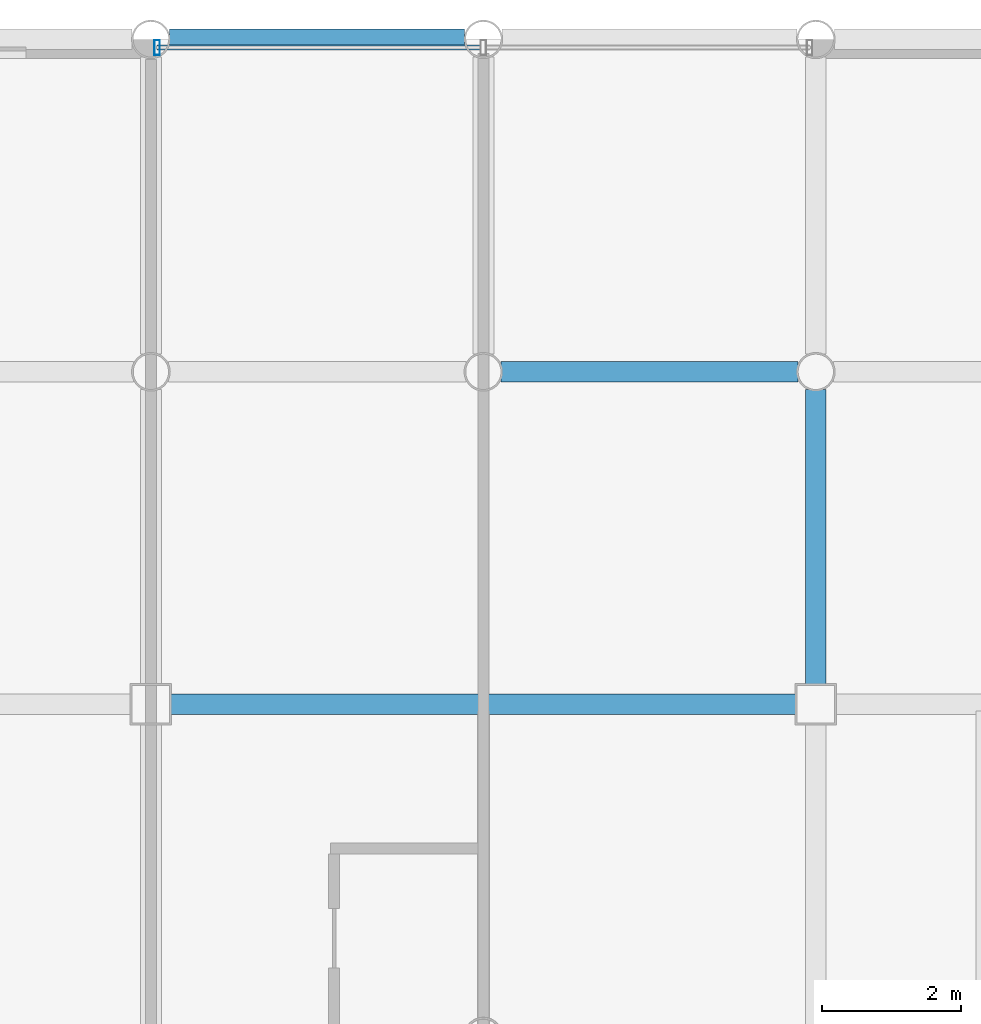
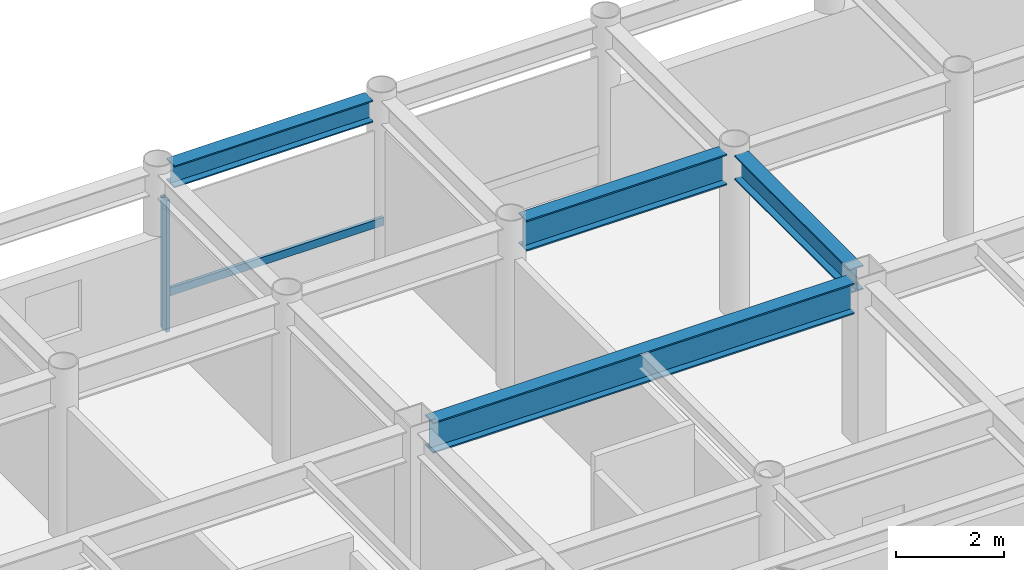
# One storey, part 14 of 22: 4 beams, 2 members, 1 element without a shape of its own.
"""IFC4 building model written with IfcOpenShell, lengths in metres."""

from ifc_helpers import new_model, si_unit, direction, frame, origin, origin_2d, place, context, subcontext, project, spatial, hollow_rectangle, i_section, extrude, material, layer, layer_set, material_profile, profile_set, type_object, element, aggregate, save


model = new_model("IFC4")

# Units and contexts
model_context = context("Model", 3, precision=1e-05, world=origin(), true_north=direction((0.0, 1.0)))
body_context = subcontext(model_context, "Body", "Model", "MODEL_VIEW")
ifc_project = project(units=[si_unit("LENGTHUNIT", "METRE"), si_unit("AREAUNIT", "SQUARE_METRE"), si_unit("VOLUMEUNIT", "CUBIC_METRE"), si_unit("PLANEANGLEUNIT", "RADIAN"), si_unit("MASSUNIT", "GRAM", prefix="KILO")], contexts=[model_context])

# Site, building, storey
site_placement = place(None, origin())
site = spatial("IfcSite", under=ifc_project, at=site_placement, CompositionType="ELEMENT")
building_placement = place(site_placement, origin())
building = spatial("IfcBuilding", under=site, at=building_placement, Name="Kallvorn Hotel Tower", CompositionType="ELEMENT")
storey_placement = place(building_placement, frame((0.0, 0.0, 256.949951171875)))
storey = spatial("IfcBuildingStorey", under=building, at=storey_placement, Name="L64", CompositionType="ELEMENT", Elevation=256.949951171875)

# Beams
ifc_material_1 = material(Name="Structural steel S355JR", Category="steel")
ifc_material_profile_1 = material_profile(ifc_material_1, i_section(OverallWidth=0.300048828125, OverallDepth=0.5, WebThickness=0.014404296875, FlangeThickness=0.028076171875, at=origin_2d()), Name="HE 500 B")
ifc_profile_set_1 = profile_set([ifc_material_profile_1], Name="Structural steel S355JR")
beam_type_1 = type_object("IfcBeamType", Name="BM_HE500B", PredefinedType="SPANDREL", material=ifc_profile_set_1)
beam_1_placement = place(storey_placement, frame((-4.530517578125, 24.0, 3.420166015625), z_axis=(1.0, 0.0, 0.0), x_axis=(0.0, 1.0, 0.0)))
element("IfcBeam", 1, at=beam_1_placement, inside=storey, type_object=beam_type_1, Name="L65 Perimeter Spandrel 168", PredefinedType="SPANDREL", context=body_context, shape_type="SweptSolid", body=[
    extrude(i_section(OverallWidth=0.300048828125, OverallDepth=0.5, WebThickness=0.014404296875, FlangeThickness=0.028076171875, at=origin_2d()), origin(), (0.0, 0.0, 1.0), 4.260986328125),
])
ifc_material_2 = material(Name="Structural steel S355JR", Category="steel")
ifc_material_profile_2 = material_profile(ifc_material_2, i_section(OverallWidth=0.300048828125, OverallDepth=0.550048828125, WebThickness=0.014892578125, FlangeThickness=0.029052734375, at=origin_2d()), Name="HE 550 B")
ifc_profile_set_2 = profile_set([ifc_material_profile_2], Name="Structural steel S355JR")
beam_type_2 = type_object("IfcBeamType", Name="BM_HE550B", PredefinedType="SPANDREL", material=ifc_profile_set_2)
beam_2_placement = place(storey_placement, frame((4.800048828125, 14.675048828125, 3.39501953125), z_axis=(0.0, 1.0, 0.0), x_axis=(-1.0, 0.0, 0.0)))
element("IfcBeam", 2, at=beam_2_placement, inside=storey, type_object=beam_type_2, Name="L65 Primary Y-Girder 117", PredefinedType="SPANDREL", context=body_context, shape_type="SweptSolid", body=[
    extrude(i_section(OverallWidth=0.300048828125, OverallDepth=0.550048828125, WebThickness=0.014892578125, FlangeThickness=0.029052734375, at=origin_2d()), origin(), (0.0, 0.0, 1.0), 4.2705078125),
])
ifc_material_3 = material(Name="Structural steel S355JR", Category="steel")
ifc_material_profile_3 = material_profile(ifc_material_3, i_section(OverallWidth=0.300048828125, OverallDepth=0.699951171875, WebThickness=0.01708984375, FlangeThickness=0.031982421875, at=origin_2d()), Name="HE 700 B")
ifc_profile_set_3 = profile_set([ifc_material_profile_3], Name="Structural steel S355JR")
beam_type_3 = type_object("IfcBeamType", Name="BM_HE700B", PredefinedType="BEAM", material=ifc_profile_set_3)
beam_3_placement = place(storey_placement, frame((-4.52490234375, 14.39990234375, 3.320068359375), z_axis=(1.0, 0.0, 0.0), x_axis=(0.0, 1.0, 0.0)))
element("IfcBeam", 3, at=beam_3_placement, inside=storey, type_object=beam_type_3, Name="L65 Primary X-Girder 55", PredefinedType="BEAM", context=body_context, shape_type="SweptSolid", body=[
    extrude(i_section(OverallWidth=0.300048828125, OverallDepth=0.699951171875, WebThickness=0.01708984375, FlangeThickness=0.031982421875, at=origin_2d()), origin(), (0.0, 0.0, 1.0), 9.0498046875),
])
beam_4_placement = place(storey_placement, frame((0.25439453125, 19.199951171875, 3.320068359375), z_axis=(1.0, 0.0, 0.0), x_axis=(0.0, 1.0, 0.0)))
element("IfcBeam", 4, at=beam_4_placement, inside=storey, type_object=beam_type_3, Name="L65 Primary X-Girder 67", PredefinedType="BEAM", context=body_context, shape_type="SweptSolid", body=[
    extrude(i_section(OverallWidth=0.300048828125, OverallDepth=0.699951171875, WebThickness=0.01708984375, FlangeThickness=0.031982421875, at=origin_2d()), origin(), (0.0, 0.0, 1.0), 4.291015625),
])

# Curtain wall, members
ifc_material_4 = material(Name="Thermally broken black-anodised aluminium AA 6063-T6", Category="aluminium")
ifc_layer = layer(ifc_material_4, 0.22998046875)
ifc_layer_set = layer_set([ifc_layer], Name="CW_SYS_5_HOTEL_HIGH")
curtain_wall_type = type_object("IfcCurtainWallType", Name="CW_SYS_5_HOTEL_HIGH", PredefinedType="USERDEFINED", material=ifc_layer_set)
curtain_wall_placement = place(storey_placement, origin())
curtain_wall = element("IfcCurtainWall", 5, at=curtain_wall_placement, inside=storey, type_object=curtain_wall_type, Name="L64 Dark-Glass Curtain Wall CW-L64-NC", ObjectType="UNITISED CURTAIN WALL", PredefinedType="USERDEFINED")
ifc_material_5 = material(Name="Thermally broken black-anodised aluminium AA 6063-T6", Category="aluminium")
ifc_material_profile_4 = material_profile(ifc_material_5, hollow_rectangle(XDim=0.080078125, YDim=0.219970703125, WallThickness=0.0048828125, at=origin_2d()), Name="MUL 220x80")
ifc_profile_set_4 = profile_set([ifc_material_profile_4], Name="Thermally broken black-anodised aluminium AA 6063-T6")
member_type_1 = type_object("IfcMemberType", Name="CW_MULLION_220x80", PredefinedType="MULLION", material=ifc_profile_set_4)
member_1_placement = place(storey_placement, frame((-4.7099609375, 23.8798828125, 0.02001953125), z_axis=(0.0, 0.0, 1.0), x_axis=(1.0, 0.0, 0.0)))
member_1 = element("IfcMember", 6, at=member_1_placement, type_object=member_type_1, Name="CW-L64-NC Mullion 00", PredefinedType="MULLION", context=body_context, shape_type="SweptSolid", body=[
    extrude(hollow_rectangle(XDim=0.080078125, YDim=0.219970703125, WallThickness=0.0048828125, at=origin_2d()), origin(), (0.0, 0.0, 1.0), 2.97998046875),
])
ifc_material_6 = material(Name="Thermally broken black-anodised aluminium AA 6063-T6", Category="aluminium")
ifc_material_profile_5 = material_profile(ifc_material_6, hollow_rectangle(XDim=0.070068359375, YDim=0.179931640625, WallThickness=0.00390625, at=origin_2d()), Name="TRN 180x70")
ifc_profile_set_5 = profile_set([ifc_material_profile_5], Name="Thermally broken black-anodised aluminium AA 6063-T6")
member_type_2 = type_object("IfcMemberType", Name="CW_TRANSOM_180x70", PredefinedType="USERDEFINED", material=ifc_profile_set_5)
member_2_placement = place(storey_placement, frame((-4.7099609375, 23.8798828125, 0.85009765625), z_axis=(1.0, 0.0, 0.0), x_axis=(0.0, 1.0, 0.0)))
member_2 = element("IfcMember", 7, at=member_2_placement, type_object=member_type_2, Name="CW-L64-NC Transom 00M", ObjectType="TRANSOM", PredefinedType="USERDEFINED", context=body_context, shape_type="SweptSolid", body=[
    extrude(hollow_rectangle(XDim=0.070068359375, YDim=0.179931640625, WallThickness=0.00390625, at=origin_2d()), origin(), (0.0, 0.0, 1.0), 4.669921875),
])
aggregate(curtain_wall, [member_1, member_2])

save(model, "model.ifc")
